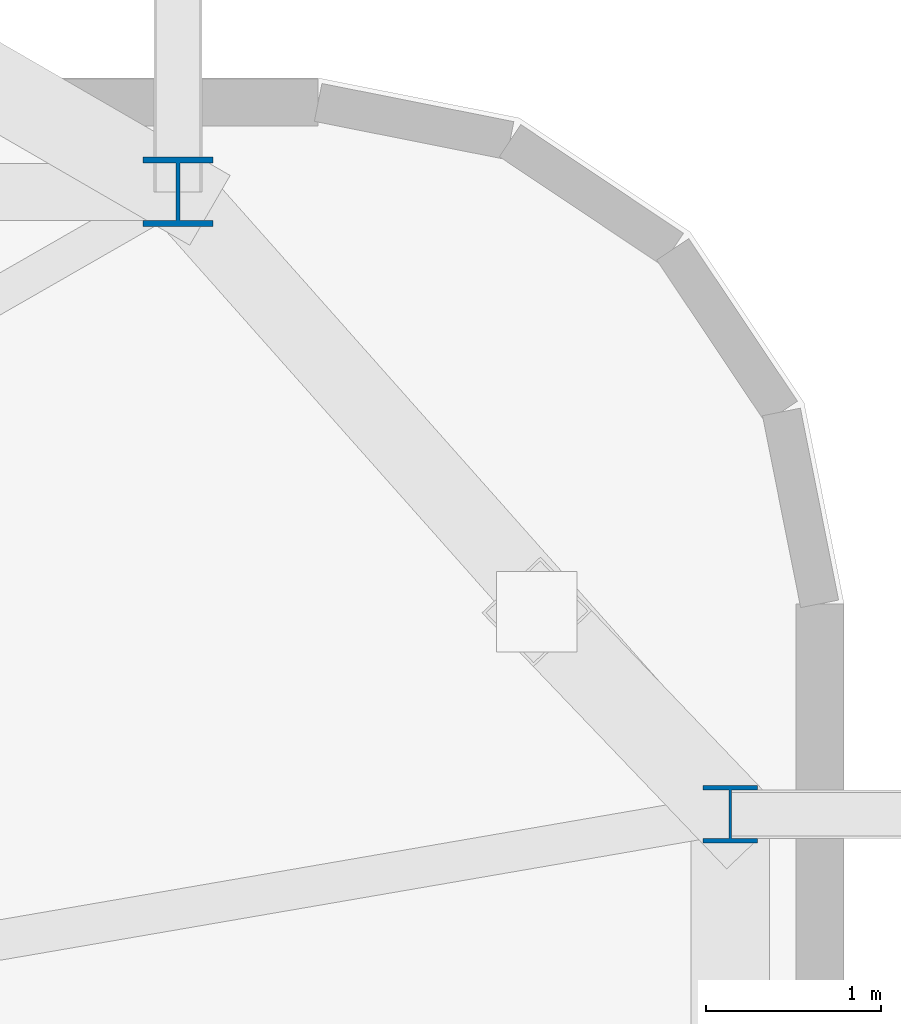
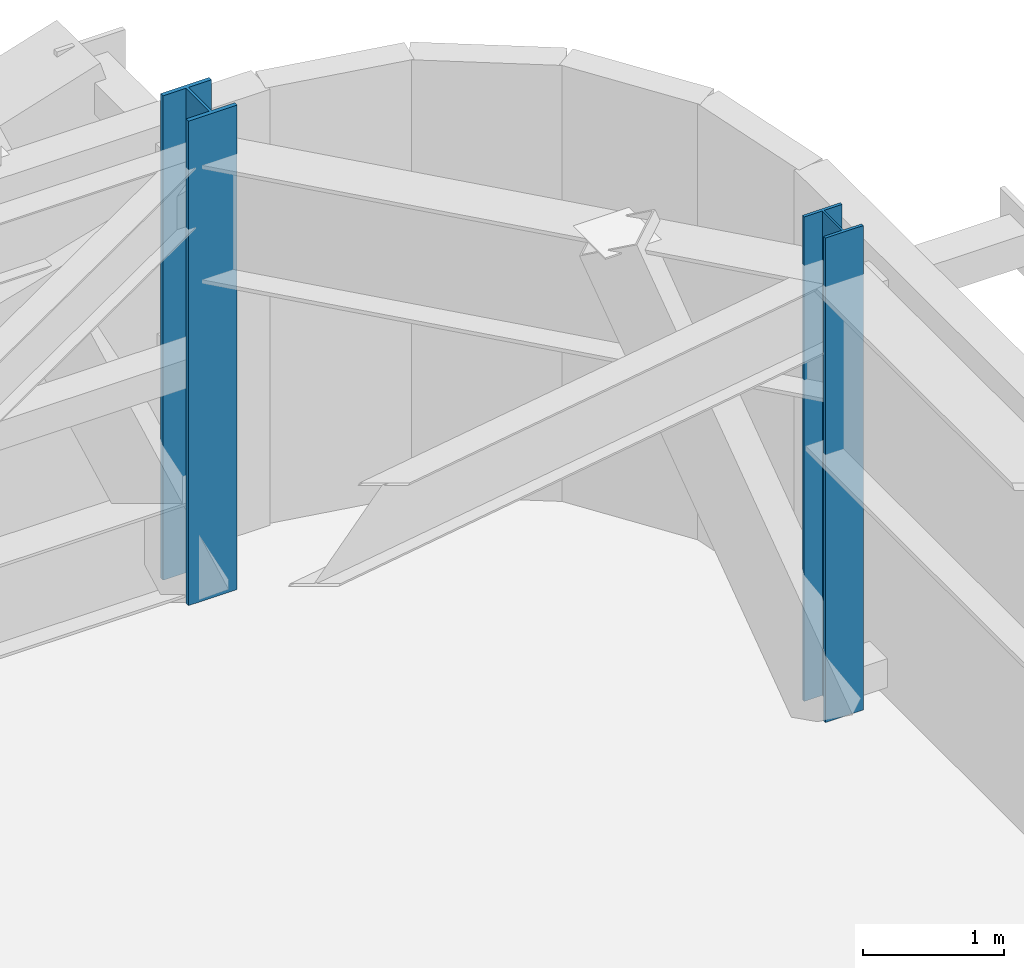
# One storey, part 4 of 24: 2 columns.
"""IFC4 building model written with IfcOpenShell, lengths in metres."""

from ifc_helpers import new_model, si_unit, direction, frame, origin, origin_2d, place, context, subcontext, project, spatial, i_section, extrude, source, transform, mapped, material, material_profile, profile_set, type_object, element, save


model = new_model("IFC4")

# Units and contexts
model_context = context("Model", 3, precision=1e-05, world=origin(), true_north=direction((0.0, 1.0)))
body_context = subcontext(model_context, "Body", "Model", "MODEL_VIEW")
ifc_project = project(units=[si_unit("LENGTHUNIT", "METRE"), si_unit("AREAUNIT", "SQUARE_METRE"), si_unit("VOLUMEUNIT", "CUBIC_METRE"), si_unit("PLANEANGLEUNIT", "RADIAN"), si_unit("MASSUNIT", "GRAM", prefix="KILO")], contexts=[model_context])

# Site, building, storey
site_placement = place(None, origin())
site = spatial("IfcSite", under=ifc_project, at=site_placement, CompositionType="ELEMENT")
building_placement = place(site_placement, origin())
building = spatial("IfcBuilding", under=site, at=building_placement, Name="Taldren Reach Tower", CompositionType="ELEMENT")
storey_placement = place(building_placement, frame((0.0, 0.0, 60.89990234375)))
storey = spatial("IfcBuildingStorey", under=building, at=storey_placement, Name="L18", CompositionType="ELEMENT", Elevation=60.89990234375)

# Columns
ifc_material = material(Name="Steel Gr 350 (350PLUS)", Category="steel")
ifc_material_profile_1 = material_profile(ifc_material, i_section(OverallWidth=0.39990234375, OverallDepth=0.39599609375, WebThickness=0.02197265625, FlangeThickness=0.033935546875, at=origin_2d()), Name="400WC270")
ifc_profile_set_1 = profile_set([ifc_material_profile_1], Name="Steel Gr 350 (350PLUS)")
column_type_1 = type_object("IfcColumnType", Name="COL-WC400", PredefinedType="COLUMN", material=ifc_profile_set_1)
shared_shape_1 = source(origin(), body_context, "Body", "SweptSolid", [
    extrude(i_section(OverallWidth=0.39990234375, OverallDepth=0.39599609375, WebThickness=0.02197265625, FlangeThickness=0.033935546875, at=origin_2d()), origin(), (0.0, 0.0, 1.0), 4.2001953125),
])
column_1_placement = place(storey_placement, frame((61.199951171875, 37.85009765625, 0.0), z_axis=(0.0, 0.0, 1.0), x_axis=(1.0, 0.0, 0.0)))
element("IfcColumn", 1, at=column_1_placement, inside=storey, type_object=column_type_1, Name="Block B1 perimeter column N6 L18", PredefinedType="COLUMN", context=body_context, shape_type="MappedRepresentation", body=[
    mapped(shared_shape_1, transform((0.0, 0.0, 0.0), scale=1.0)),
])
ifc_material_profile_2 = material_profile(ifc_material, i_section(OverallWidth=0.31103515625, OverallDepth=0.326904296875, WebThickness=0.015625, FlangeThickness=0.02490234375, at=origin_2d()), Name="310UC158")
ifc_profile_set_2 = profile_set([ifc_material_profile_2], Name="Steel Gr 350 (350PLUS)")
column_type_2 = type_object("IfcColumnType", Name="COL-UC310A", PredefinedType="COLUMN", material=ifc_profile_set_2)
shared_shape_2 = source(origin(), body_context, "Body", "SweptSolid", [
    extrude(i_section(OverallWidth=0.31103515625, OverallDepth=0.326904296875, WebThickness=0.015625, FlangeThickness=0.02490234375, at=origin_2d()), origin(), (0.0, 0.0, 1.0), 4.2001953125),
])
column_2_placement = place(storey_placement, frame((64.35009765625, 34.300048828125, 0.0), z_axis=(0.0, 0.0, 1.0), x_axis=(1.0, 0.0, 0.0)))
element("IfcColumn", 2, at=column_2_placement, inside=storey, type_object=column_type_2, Name="Block B1 perimeter column E3 L18", PredefinedType="COLUMN", context=body_context, shape_type="MappedRepresentation", body=[
    mapped(shared_shape_2, transform((0.0, 0.0, 0.0), scale=1.0)),
])

save(model, "model.ifc")
